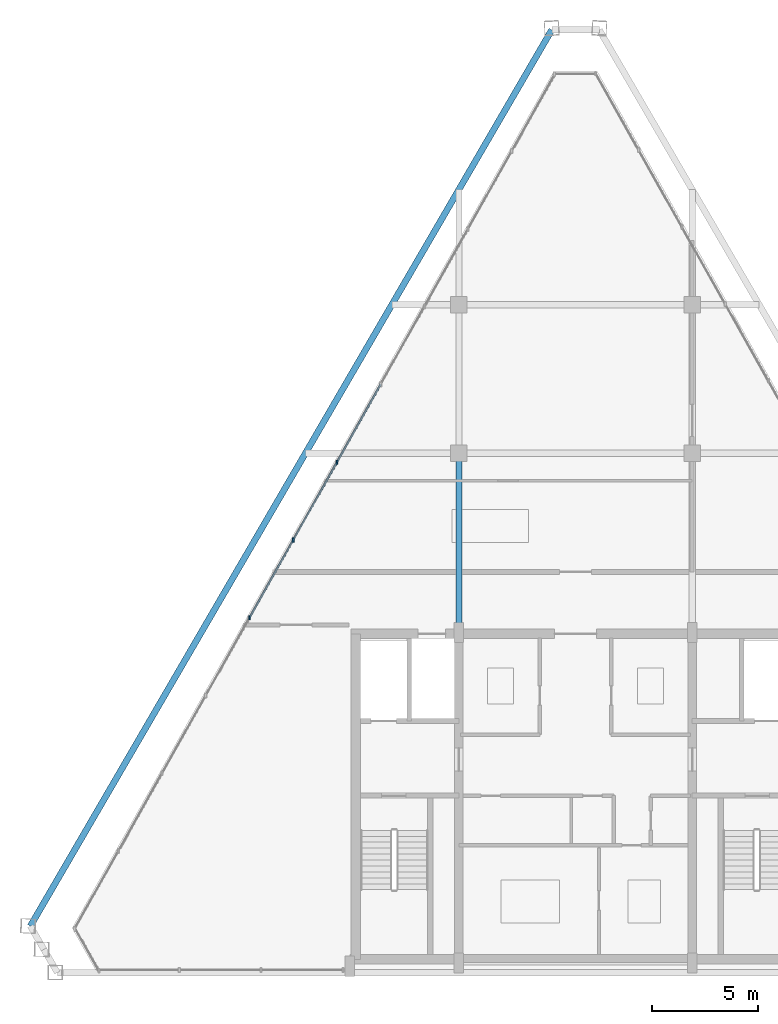
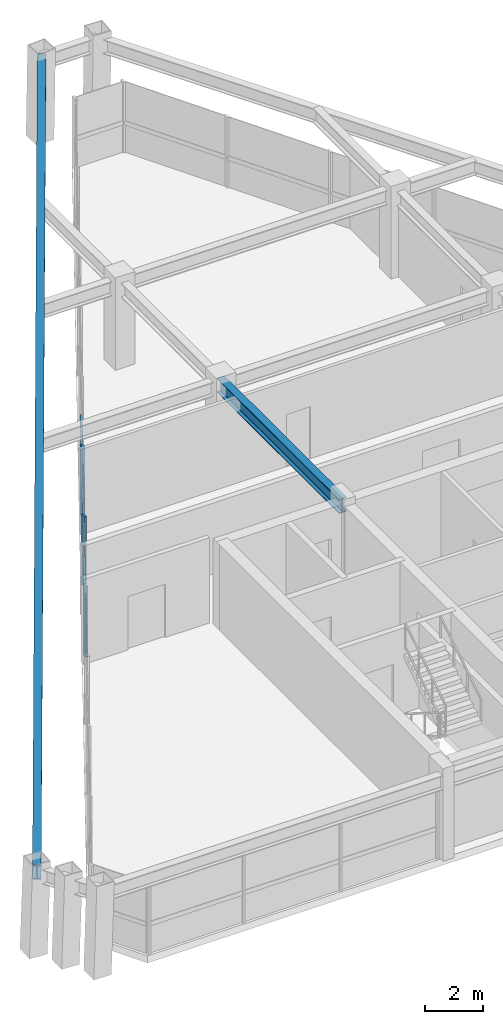
# One storey, part 4 of 12: 6 members, 2 beams, 1 element without a shape of its own.
"""IFC4 building model written with IfcOpenShell, lengths in metres."""

import ifcopenshell
import ifcopenshell.guid

model = None  # the IFC model being written
_history = None  # IfcOwnerHistory: only IFC2X3 demands one
_inside = {}  # id of a spatial element -> (the spatial element, [elements in it])
_under = {}  # id of a project, library or spatial element -> (it, [spatial elements below it])
_declared = {}  # id of a project -> (the project, [libraries it declares])
_typed = {}  # id of a type object -> (the type object, [elements of that type])
_made_of = {}  # id of a material, layer set ... -> (it, [elements and type objects made of it])


def new_model(schema):
    """Start an empty IFC model of exactly this schema.

    Asked for "IFC4X3", IfcOpenShell would pick the latest addendum, in which some entities
    have other attributes; the version numbers below select the first issue.
    IFC2X3 requires an IfcOwnerHistory on every rooted entity: one is made here for all.
    """
    global model, _history
    if schema == "IFC4X3":
        model = ifcopenshell.file(schema_version=(4, 3, 0, 0))
    else:
        model = ifcopenshell.file(schema=schema)
    _inside.clear()
    _under.clear()
    _declared.clear()
    _typed.clear()
    _made_of.clear()
    _history = None
    if model.schema == "IFC2X3":
        org = make("IfcOrganization", Name="unknown")
        user = make(
            "IfcPersonAndOrganization",
            ThePerson=make("IfcPerson", FamilyName="unknown"),
            TheOrganization=org,
        )
        app = make(
            "IfcApplication",
            ApplicationDeveloper=org,
            Version="unknown",
            ApplicationFullName="unknown",
            ApplicationIdentifier="unknown",
        )
        _history = make(
            "IfcOwnerHistory",
            OwningUser=user,
            OwningApplication=app,
            ChangeAction="ADDED",
            CreationDate=0,
        )
    return model


def make(cls, **values):
    """One entity of the class cls with the attributes given. An attribute that is None is left unset."""
    return model.create_entity(
        cls, **{name: value for name, value in values.items() if value is not None}
    )


def rooted(cls, **values):
    """An entity with a GlobalId (a new one), such as an element, a storey or a relation."""
    return make(cls, GlobalId=ifcopenshell.guid.new(), OwnerHistory=_history, **values)


def si_unit(unit_type, name, prefix=None):
    """IfcSIUnit, for example si_unit("LENGTHUNIT", "METRE", prefix="MILLI")."""
    return make("IfcSIUnit", UnitType=unit_type, Prefix=prefix, Name=name)


def assignment(units):
    """IfcUnitAssignment: the units of a project."""
    return None if units is None else make("IfcUnitAssignment", Units=units)


def point(xyz):
    """IfcCartesianPoint."""
    return None if xyz is None else make("IfcCartesianPoint", Coordinates=xyz)


def direction(xyz):
    """IfcDirection."""
    return None if xyz is None else make("IfcDirection", DirectionRatios=xyz)


def frame(location, z_axis=None, x_axis=None):
    """IfcAxis2Placement3D, a coordinate frame: its origin and axes. An axis left out is left unset."""
    return make(
        "IfcAxis2Placement3D",
        Location=point(location),
        Axis=direction(z_axis),
        RefDirection=direction(x_axis),
    )


def frame_2d(location, x_axis=None):
    """IfcAxis2Placement2D, a coordinate frame in the plane: its origin and x axis."""
    return make(
        "IfcAxis2Placement2D", Location=point(location), RefDirection=direction(x_axis)
    )


def origin():
    """The frame at (0, 0, 0) with its axes left unset."""
    return frame((0.0, 0.0, 0.0))


def origin_2d():
    """The frame at (0, 0) in the plane with its x axis left unset."""
    return frame_2d((0.0, 0.0))


def place(relative_to, where):
    """IfcLocalPlacement: puts the frame where relative to a parent placement (None: the world)."""
    return make(
        "IfcLocalPlacement", PlacementRelTo=relative_to, RelativePlacement=where
    )


def context(
    kind, dimensions, precision=None, world=None, true_north=None, identifier=None
):
    """IfcGeometricRepresentationContext, for example the 3D "Model" context."""
    return make(
        "IfcGeometricRepresentationContext",
        ContextIdentifier=identifier,
        ContextType=kind,
        CoordinateSpaceDimension=dimensions,
        Precision=precision,
        WorldCoordinateSystem=world,
        TrueNorth=true_north,
    )


def subcontext(parent, identifier, kind, view, scale=None):
    """IfcGeometricRepresentationSubContext, for example "Body" below "Model"."""
    return make(
        "IfcGeometricRepresentationSubContext",
        ContextIdentifier=identifier,
        ContextType=kind,
        ParentContext=parent,
        TargetScale=scale,
        TargetView=view,
    )


def project(units=None, contexts=None):
    """IfcProject with its units and contexts."""
    return rooted(
        "IfcProject",
        Name="project",
        RepresentationContexts=contexts,
        UnitsInContext=assignment(units),
    )


def spatial(cls, under=None, at=None, **own):
    """A site, building, storey or space (cls), placed at a placement, below another one or the project."""
    s = rooted(cls, ObjectPlacement=at, **own)
    if under is not None:
        _under.setdefault(under.id(), (under, []))[1].append(s)
    return s


def profile(cls, at=None, kind="AREA", **sizes):
    """A parametric profile (cls). Its sizes go by their IFC names, for example OverallWidth=200.0."""
    return make(cls, ProfileType=kind, Position=at, **sizes)


def rectangle(**sizes):
    """IfcRectangleProfileDef."""
    return profile("IfcRectangleProfileDef", **sizes)


def i_section(**sizes):
    """IfcIShapeProfileDef."""
    return profile("IfcIShapeProfileDef", **sizes)


def extrude(swept, where, along, depth):
    """IfcExtrudedAreaSolid: the profile swept, set in the frame where, extruded along a direction by depth."""
    return make(
        "IfcExtrudedAreaSolid",
        SweptArea=swept,
        Position=where,
        ExtrudedDirection=direction(along),
        Depth=depth,
    )


def shape(context_of_items, identifier, shape_type, items):
    """IfcShapeRepresentation: the items that make up one representation, for example the "Body"."""
    return make(
        "IfcShapeRepresentation",
        ContextOfItems=context_of_items,
        RepresentationIdentifier=identifier,
        RepresentationType=shape_type,
        Items=items,
    )


def source(mapping_origin, context_of_items, identifier, shape_type, items):
    """IfcRepresentationMap: a shape defined once, which mapped items show again and again."""
    return make(
        "IfcRepresentationMap",
        MappingOrigin=mapping_origin,
        MappedRepresentation=shape(context_of_items, identifier, shape_type, items),
    )


def transform(
    local_origin,
    x_axis=None,
    y_axis=None,
    z_axis=None,
    scale=None,
    scale2=None,
    scale3=None,
    uniform=True,
):
    """IfcCartesianTransformationOperator3D, or its non-uniform kind. x_axis, y_axis, z_axis: its Axis1, 2, 3."""
    if uniform:
        return make(
            "IfcCartesianTransformationOperator3D",
            Axis1=direction(x_axis),
            Axis2=direction(y_axis),
            LocalOrigin=point(local_origin),
            Scale=scale,
            Axis3=direction(z_axis),
        )
    return make(
        "IfcCartesianTransformationOperator3DnonUniform",
        Axis1=direction(x_axis),
        Axis2=direction(y_axis),
        LocalOrigin=point(local_origin),
        Scale=scale,
        Axis3=direction(z_axis),
        Scale2=scale2,
        Scale3=scale3,
    )


def mapped(mapping_source, mapping_target):
    """IfcMappedItem: shows the shape of a source again, moved by a transform."""
    return make(
        "IfcMappedItem", MappingSource=mapping_source, MappingTarget=mapping_target
    )


def material(Name=None, Category=None):
    """IfcMaterial."""
    return make("IfcMaterial", Name=Name, Category=Category)


def material_profile(
    of_material, cross_section, Name=None, Category=None, Priority=None
):
    """IfcMaterialProfile: a cross section and its material."""
    return make(
        "IfcMaterialProfile",
        Name=Name,
        Material=of_material,
        Profile=cross_section,
        Priority=Priority,
        Category=Category,
    )


def profile_set(profiles, Name=None, composite=None):
    """IfcMaterialProfileSet."""
    return make(
        "IfcMaterialProfileSet",
        Name=Name,
        MaterialProfiles=profiles,
        CompositeProfile=composite,
    )


def made_of(thing, what):
    """Note that an element or type object is made of a material, layer set ...; save() writes the relation."""
    if what is not None:
        _made_of.setdefault(what.id(), (what, []))[1].append(thing)
    return thing


def type_object(cls, material=None, **own):
    """A type object (cls), such as IfcWallType, which elements share."""
    return made_of(rooted(cls, **own), material)


def type_shapes(of_type, sources):
    """Give a type object the sources (RepresentationMaps) that its elements show as mapped items."""
    of_type.RepresentationMaps = sources


def element(
    cls,
    number,
    at=None,
    inside=None,
    cuts=None,
    type_object=None,
    material=None,
    context=None,
    identifier="Body",
    shape_type=None,
    held_by="IfcProductDefinitionShape",
    body=None,
    shapes=None,
    **own,
):
    """One element of the class cls, such as IfcWall. Its Tag is "e" and its number.

    at: its placement. inside: the storey or other place that contains it. cuts: it is an
    opening in that element (IfcRelVoidsElement). A single representation is given by context,
    identifier, shape_type and body (its items); several are given by shapes. held_by: the class
    of the entity that holds the representations. save() writes the other relations.
    """
    e = rooted(cls, Tag="e%d" % number, ObjectPlacement=at, **own)
    if body is not None:
        shapes = [shape(context, identifier, shape_type, body)]
    if shapes is not None:
        e.Representation = make(held_by, Representations=shapes)
    if inside is not None:
        _inside.setdefault(inside.id(), (inside, []))[1].append(e)
    if cuts is not None:
        rooted(
            "IfcRelVoidsElement", RelatingBuildingElement=cuts, RelatedOpeningElement=e
        )
    if type_object is not None:
        _typed.setdefault(type_object.id(), (type_object, []))[1].append(e)
    return made_of(e, material)


def aggregate(whole, parts):
    """IfcRelAggregates: a whole, such as a stair, and the parts it consists of."""
    return rooted("IfcRelAggregates", RelatingObject=whole, RelatedObjects=parts)


def save(model, path):
    """Write the relations noted so far, then the file.

    IfcRelAggregates (storeys below a building ...), IfcRelContainedInSpatialStructure (elements
    in a storey), IfcRelDefinesByType, IfcRelAssociatesMaterial and IfcRelDeclares: one each for
    every whole, place, type object, material and project.
    """
    for whole, parts in _under.values():
        aggregate(whole, parts)
    for where, things in _inside.values():
        rooted(
            "IfcRelContainedInSpatialStructure",
            RelatedElements=things,
            RelatingStructure=where,
        )
    for kind, things in _typed.values():
        rooted("IfcRelDefinesByType", RelatedObjects=things, RelatingType=kind)
    for what, things in _made_of.values():
        rooted("IfcRelAssociatesMaterial", RelatedObjects=things, RelatingMaterial=what)
    for by, libraries in _declared.values():
        rooted("IfcRelDeclares", RelatingContext=by, RelatedDefinitions=libraries)
    model.write(path)


model = new_model("IFC4")

# Units and contexts
model_context = context("Model", 3, precision=1e-05, world=origin(), true_north=direction((0.0, 1.0)))
body_context = subcontext(model_context, "Body", "Model", "MODEL_VIEW")
ifc_project = project(units=[si_unit("LENGTHUNIT", "METRE"), si_unit("AREAUNIT", "SQUARE_METRE"), si_unit("VOLUMEUNIT", "CUBIC_METRE"), si_unit("PLANEANGLEUNIT", "RADIAN"), si_unit("MASSUNIT", "GRAM", prefix="KILO")], contexts=[model_context])

# Site, building, storey
site_placement = place(None, origin())
site = spatial("IfcSite", under=ifc_project, at=site_placement, CompositionType="ELEMENT")
building_placement = place(site_placement, origin())
building = spatial("IfcBuilding", under=site, at=building_placement, Name="Varnakhor Terracotta Tower", CompositionType="ELEMENT")
storey_placement = place(building_placement, frame((0.0, 0.0, 325.300048828125)))
storey = spatial("IfcBuildingStorey", under=building, at=storey_placement, Name="L85 Crown", CompositionType="ELEMENT", Elevation=325.300048828125)

# Beams
ifc_material_1 = material(Name="Steel S355", Category="steel")
ifc_material_profile_1 = material_profile(ifc_material_1, i_section(OverallWidth=0.300048828125, OverallDepth=0.60009765625, WebThickness=0.015380859375, FlangeThickness=0.030029296875, FilletRadius=0.01806640625, at=origin_2d()), Name="HEB600")
ifc_profile_set_1 = profile_set([ifc_material_profile_1], Name="Steel S355")
beam_type = type_object("IfcBeamType", Name="BM-HEB600", PredefinedType="BEAM", material=ifc_profile_set_1)
shared_shape_1 = source(origin(), body_context, "Body", "SweptSolid", [
    extrude(i_section(OverallWidth=0.300048828125, OverallDepth=0.60009765625, WebThickness=0.015380859375, FlangeThickness=0.030029296875, FilletRadius=0.01806640625, at=origin_2d()), origin(), (0.0, 0.0, 1.0), 8.449951171875),
])
beam_1_placement = place(storey_placement, frame((-5.5, 16.050048828125, 3.300048828125), z_axis=(0.0, 1.0, 0.0), x_axis=(-1.0, 0.0, 0.0)))
element("IfcBeam", 1, at=beam_1_placement, inside=storey, type_object=beam_type, Name="L85 Crown Primary Girder NS1-W", PredefinedType="BEAM", context=body_context, shape_type="MappedRepresentation", body=[
    mapped(shared_shape_1, transform((0.0, 0.0, 0.0), scale=1.0)),
])
shared_shape_2 = source(origin(), body_context, "Body", "SweptSolid", [
    extrude(i_section(OverallWidth=0.300048828125, OverallDepth=0.60009765625, WebThickness=0.015380859375, FlangeThickness=0.030029296875, FilletRadius=0.01806640625, at=origin_2d()), origin(), (0.0, 0.0, 1.0), 48.9111328125),
])
beam_2_placement = place(storey_placement, frame((-1.1201171875, 44.468017578125, 3.300048828125), z_axis=(-0.502905511549, -0.86434139462, 0.0), x_axis=(0.86434139462, -0.502905511549, 0.0)))
element("IfcBeam", 2, at=beam_2_placement, inside=storey, type_object=beam_type, Name="L85 Crown Perimeter Spandrel 6", PredefinedType="BEAM", context=body_context, shape_type="MappedRepresentation", body=[
    mapped(shared_shape_2, transform((0.0, 0.0, 0.0), scale=1.0)),
])

# Curtain wall, members
ifc_material_2 = material(Name="Anodised Aluminium Curtain Wall System", Category="aluminium")
curtain_wall_type = type_object("IfcCurtainWallType", Name="CW-SYS-CROWN", PredefinedType="NOTDEFINED", material=ifc_material_2)
curtain_wall_placement = place(storey_placement, origin())
curtain_wall = element("IfcCurtainWall", 3, at=curtain_wall_placement, inside=storey, type_object=curtain_wall_type, Name="L85 Crown Facet Curtain Wall 1", PredefinedType="NOTDEFINED")
ifc_material_3 = material(Name="Anodised Aluminium 6063-T6", Category="aluminium")
ifc_material_profile_2 = material_profile(ifc_material_3, rectangle(XDim=0.080078125, YDim=0.205078125, at=origin_2d()), Name="ALU MULLION 80x205")
ifc_profile_set_2 = profile_set([ifc_material_profile_2], Name="Anodised Aluminium 6063-T6")
member_type_1 = type_object("IfcMemberType", Name="CWM-06", PredefinedType="MULLION", material=ifc_profile_set_2)
shared_shape_3 = source(origin(), body_context, "Body", "SweptSolid", [
    extrude(rectangle(XDim=0.080078125, YDim=0.205078125, at=origin_2d()), origin(), (0.0, 0.0, 1.0), 2.97998046875),
])
type_shapes(member_type_1, [shared_shape_3])
member_1_placement = place(storey_placement, frame((-15.37841796875, 16.738525390625, 0.0), z_axis=(0.0, 0.0, 1.0), x_axis=(1.0, 0.0, 0.0)))
member_1 = element("IfcMember", 4, at=member_1_placement, type_object=member_type_1, Name="L85 Crown Facet Curtain Wall 1 Mullion 5", PredefinedType="MULLION", context=body_context, shape_type="MappedRepresentation", body=[
    mapped(shared_shape_3, transform((0.0, 0.0, 0.0), scale=1.0)),
])
member_2_placement = place(storey_placement, frame((-13.31640625, 20.407470703125, 0.0), z_axis=(0.0, 0.0, 1.0), x_axis=(1.0, 0.0, 0.0)))
member_2 = element("IfcMember", 5, at=member_2_placement, type_object=member_type_1, Name="L85 Crown Facet Curtain Wall 1 Mullion 6", PredefinedType="MULLION", context=body_context, shape_type="MappedRepresentation", body=[
    mapped(shared_shape_3, transform((0.0, 0.0, 0.0), scale=1.0)),
])
member_3_placement = place(storey_placement, frame((-11.25439453125, 24.076416015625, 0.0), z_axis=(0.0, 0.0, 1.0), x_axis=(1.0, 0.0, 0.0)))
member_3 = element("IfcMember", 6, at=member_3_placement, type_object=member_type_1, Name="L85 Crown Facet Curtain Wall 1 Mullion 7", PredefinedType="MULLION", context=body_context, shape_type="MappedRepresentation", body=[
    mapped(shared_shape_3, transform((0.0, 0.0, 0.0), scale=1.0)),
])
ifc_material_profile_3 = material_profile(ifc_material_3, rectangle(XDim=0.080078125, YDim=0.179931640625, at=origin_2d()), Name="ALU TRANSOM 80x180")
ifc_profile_set_3 = profile_set([ifc_material_profile_3], Name="Anodised Aluminium 6063-T6")
member_type_2 = type_object("IfcMemberType", Name="CWT-06", PredefinedType="USERDEFINED", material=ifc_profile_set_3)
shared_shape_4 = source(origin(), body_context, "Body", "SweptSolid", [
    extrude(rectangle(XDim=0.080078125, YDim=0.179931640625, at=origin_2d()), origin(), (0.0, 0.0, 1.0), 4.208740234375),
])
member_4_placement = place(storey_placement, frame((-15.37841796875, 16.738525390625, 1.25146484375), z_axis=(0.489941728353, 0.87175518514, 0.0), x_axis=(-0.87175518514, 0.489941728353, 0.0)))
member_4 = element("IfcMember", 7, at=member_4_placement, type_object=member_type_2, Name="L85 Crown Facet Curtain Wall 1 Transom 5", ObjectType="TRANSOM", PredefinedType="USERDEFINED", context=body_context, shape_type="MappedRepresentation", body=[
    mapped(shared_shape_4, transform((0.0, 0.0, 0.0), scale=1.0)),
])
member_5_placement = place(storey_placement, frame((-13.31640625, 20.407470703125, 1.25146484375), z_axis=(0.489941728353, 0.87175518514, 0.0), x_axis=(-0.87175518514, 0.489941728353, 0.0)))
member_5 = element("IfcMember", 8, at=member_5_placement, type_object=member_type_2, Name="L85 Crown Facet Curtain Wall 1 Transom 6", ObjectType="TRANSOM", PredefinedType="USERDEFINED", context=body_context, shape_type="MappedRepresentation", body=[
    mapped(shared_shape_4, transform((0.0, 0.0, 0.0), scale=1.0)),
])
member_6_placement = place(storey_placement, frame((-11.25439453125, 24.076416015625, 1.25146484375), z_axis=(0.489941728353, 0.87175518514, 0.0), x_axis=(-0.87175518514, 0.489941728353, 0.0)))
member_6 = element("IfcMember", 9, at=member_6_placement, type_object=member_type_2, Name="L85 Crown Facet Curtain Wall 1 Transom 7", ObjectType="TRANSOM", PredefinedType="USERDEFINED", context=body_context, shape_type="MappedRepresentation", body=[
    mapped(shared_shape_4, transform((0.0, 0.0, 0.0), scale=1.0)),
])
aggregate(curtain_wall, [member_1, member_4, member_2, member_5, member_3, member_6])

save(model, "model.ifc")
